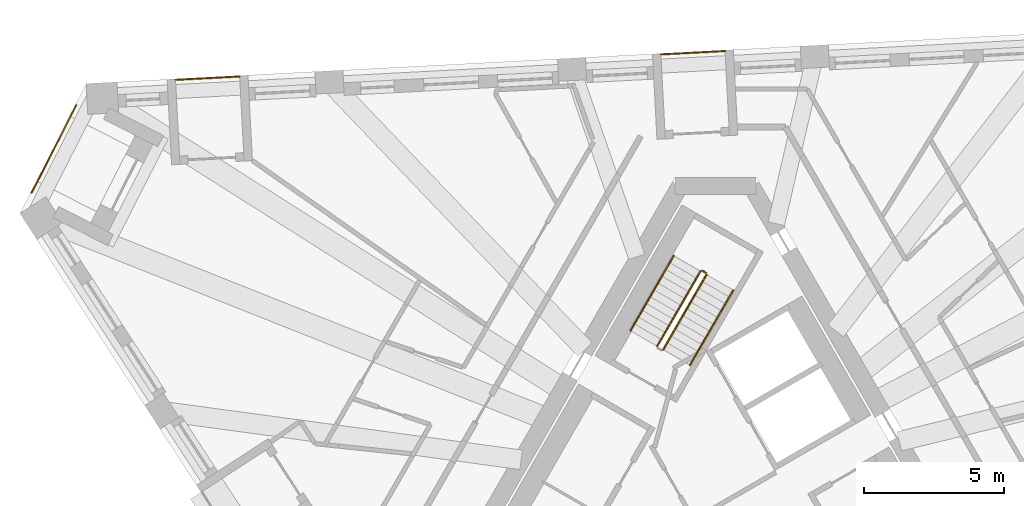
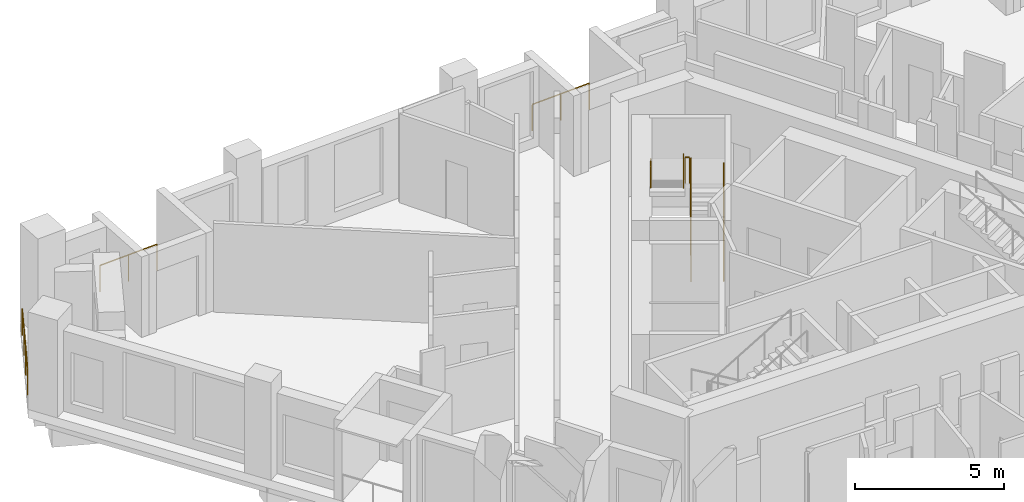
# One storey, part 12 of 13: 8 railings.
"""IFC4 building model written with IfcOpenShell, lengths in metres."""

import ifcopenshell
import ifcopenshell.guid

model = None  # the IFC model being written
_history = None  # IfcOwnerHistory: only IFC2X3 demands one
_inside = {}  # id of a spatial element -> (the spatial element, [elements in it])
_under = {}  # id of a project, library or spatial element -> (it, [spatial elements below it])
_declared = {}  # id of a project -> (the project, [libraries it declares])
_typed = {}  # id of a type object -> (the type object, [elements of that type])
_made_of = {}  # id of a material, layer set ... -> (it, [elements and type objects made of it])


def new_model(schema):
    """Start an empty IFC model of exactly this schema.

    Asked for "IFC4X3", IfcOpenShell would pick the latest addendum, in which some entities
    have other attributes; the version numbers below select the first issue.
    IFC2X3 requires an IfcOwnerHistory on every rooted entity: one is made here for all.
    """
    global model, _history
    if schema == "IFC4X3":
        model = ifcopenshell.file(schema_version=(4, 3, 0, 0))
    else:
        model = ifcopenshell.file(schema=schema)
    _inside.clear()
    _under.clear()
    _declared.clear()
    _typed.clear()
    _made_of.clear()
    _history = None
    if model.schema == "IFC2X3":
        org = make("IfcOrganization", Name="unknown")
        user = make(
            "IfcPersonAndOrganization",
            ThePerson=make("IfcPerson", FamilyName="unknown"),
            TheOrganization=org,
        )
        app = make(
            "IfcApplication",
            ApplicationDeveloper=org,
            Version="unknown",
            ApplicationFullName="unknown",
            ApplicationIdentifier="unknown",
        )
        _history = make(
            "IfcOwnerHistory",
            OwningUser=user,
            OwningApplication=app,
            ChangeAction="ADDED",
            CreationDate=0,
        )
    return model


def make(cls, **values):
    """One entity of the class cls with the attributes given. An attribute that is None is left unset."""
    return model.create_entity(
        cls, **{name: value for name, value in values.items() if value is not None}
    )


def rooted(cls, **values):
    """An entity with a GlobalId (a new one), such as an element, a storey or a relation."""
    return make(cls, GlobalId=ifcopenshell.guid.new(), OwnerHistory=_history, **values)


def si_unit(unit_type, name, prefix=None):
    """IfcSIUnit, for example si_unit("LENGTHUNIT", "METRE", prefix="MILLI")."""
    return make("IfcSIUnit", UnitType=unit_type, Prefix=prefix, Name=name)


def assignment(units):
    """IfcUnitAssignment: the units of a project."""
    return None if units is None else make("IfcUnitAssignment", Units=units)


def point(xyz):
    """IfcCartesianPoint."""
    return None if xyz is None else make("IfcCartesianPoint", Coordinates=xyz)


def direction(xyz):
    """IfcDirection."""
    return None if xyz is None else make("IfcDirection", DirectionRatios=xyz)


def frame(location, z_axis=None, x_axis=None):
    """IfcAxis2Placement3D, a coordinate frame: its origin and axes. An axis left out is left unset."""
    return make(
        "IfcAxis2Placement3D",
        Location=point(location),
        Axis=direction(z_axis),
        RefDirection=direction(x_axis),
    )


def frame_2d(location, x_axis=None):
    """IfcAxis2Placement2D, a coordinate frame in the plane: its origin and x axis."""
    return make(
        "IfcAxis2Placement2D", Location=point(location), RefDirection=direction(x_axis)
    )


def origin():
    """The frame at (0, 0, 0) with its axes left unset."""
    return frame((0.0, 0.0, 0.0))


def origin_2d():
    """The frame at (0, 0) in the plane with its x axis left unset."""
    return frame_2d((0.0, 0.0))


def place(relative_to, where):
    """IfcLocalPlacement: puts the frame where relative to a parent placement (None: the world)."""
    return make(
        "IfcLocalPlacement", PlacementRelTo=relative_to, RelativePlacement=where
    )


def context(
    kind, dimensions, precision=None, world=None, true_north=None, identifier=None
):
    """IfcGeometricRepresentationContext, for example the 3D "Model" context."""
    return make(
        "IfcGeometricRepresentationContext",
        ContextIdentifier=identifier,
        ContextType=kind,
        CoordinateSpaceDimension=dimensions,
        Precision=precision,
        WorldCoordinateSystem=world,
        TrueNorth=true_north,
    )


def subcontext(parent, identifier, kind, view, scale=None):
    """IfcGeometricRepresentationSubContext, for example "Body" below "Model"."""
    return make(
        "IfcGeometricRepresentationSubContext",
        ContextIdentifier=identifier,
        ContextType=kind,
        ParentContext=parent,
        TargetScale=scale,
        TargetView=view,
    )


def project(units=None, contexts=None):
    """IfcProject with its units and contexts."""
    return rooted(
        "IfcProject",
        Name="project",
        RepresentationContexts=contexts,
        UnitsInContext=assignment(units),
    )


def spatial(cls, under=None, at=None, **own):
    """A site, building, storey or space (cls), placed at a placement, below another one or the project."""
    s = rooted(cls, ObjectPlacement=at, **own)
    if under is not None:
        _under.setdefault(under.id(), (under, []))[1].append(s)
    return s


def profile(cls, at=None, kind="AREA", **sizes):
    """A parametric profile (cls). Its sizes go by their IFC names, for example OverallWidth=200.0."""
    return make(cls, ProfileType=kind, Position=at, **sizes)


def circle(**sizes):
    """IfcCircleProfileDef."""
    return profile("IfcCircleProfileDef", **sizes)


def extrude(swept, where, along, depth):
    """IfcExtrudedAreaSolid: the profile swept, set in the frame where, extruded along a direction by depth."""
    return make(
        "IfcExtrudedAreaSolid",
        SweptArea=swept,
        Position=where,
        ExtrudedDirection=direction(along),
        Depth=depth,
    )


def shape(context_of_items, identifier, shape_type, items):
    """IfcShapeRepresentation: the items that make up one representation, for example the "Body"."""
    return make(
        "IfcShapeRepresentation",
        ContextOfItems=context_of_items,
        RepresentationIdentifier=identifier,
        RepresentationType=shape_type,
        Items=items,
    )


def material(Name=None, Category=None):
    """IfcMaterial."""
    return make("IfcMaterial", Name=Name, Category=Category)


def made_of(thing, what):
    """Note that an element or type object is made of a material, layer set ...; save() writes the relation."""
    if what is not None:
        _made_of.setdefault(what.id(), (what, []))[1].append(thing)
    return thing


def type_object(cls, material=None, **own):
    """A type object (cls), such as IfcWallType, which elements share."""
    return made_of(rooted(cls, **own), material)


def element(
    cls,
    number,
    at=None,
    inside=None,
    cuts=None,
    type_object=None,
    material=None,
    context=None,
    identifier="Body",
    shape_type=None,
    held_by="IfcProductDefinitionShape",
    body=None,
    shapes=None,
    **own,
):
    """One element of the class cls, such as IfcWall. Its Tag is "e" and its number.

    at: its placement. inside: the storey or other place that contains it. cuts: it is an
    opening in that element (IfcRelVoidsElement). A single representation is given by context,
    identifier, shape_type and body (its items); several are given by shapes. held_by: the class
    of the entity that holds the representations. save() writes the other relations.
    """
    e = rooted(cls, Tag="e%d" % number, ObjectPlacement=at, **own)
    if body is not None:
        shapes = [shape(context, identifier, shape_type, body)]
    if shapes is not None:
        e.Representation = make(held_by, Representations=shapes)
    if inside is not None:
        _inside.setdefault(inside.id(), (inside, []))[1].append(e)
    if cuts is not None:
        rooted(
            "IfcRelVoidsElement", RelatingBuildingElement=cuts, RelatedOpeningElement=e
        )
    if type_object is not None:
        _typed.setdefault(type_object.id(), (type_object, []))[1].append(e)
    return made_of(e, material)


def aggregate(whole, parts):
    """IfcRelAggregates: a whole, such as a stair, and the parts it consists of."""
    return rooted("IfcRelAggregates", RelatingObject=whole, RelatedObjects=parts)


def save(model, path):
    """Write the relations noted so far, then the file.

    IfcRelAggregates (storeys below a building ...), IfcRelContainedInSpatialStructure (elements
    in a storey), IfcRelDefinesByType, IfcRelAssociatesMaterial and IfcRelDeclares: one each for
    every whole, place, type object, material and project.
    """
    for whole, parts in _under.values():
        aggregate(whole, parts)
    for where, things in _inside.values():
        rooted(
            "IfcRelContainedInSpatialStructure",
            RelatedElements=things,
            RelatingStructure=where,
        )
    for kind, things in _typed.values():
        rooted("IfcRelDefinesByType", RelatedObjects=things, RelatingType=kind)
    for what, things in _made_of.values():
        rooted("IfcRelAssociatesMaterial", RelatedObjects=things, RelatingMaterial=what)
    for by, libraries in _declared.values():
        rooted("IfcRelDeclares", RelatingContext=by, RelatedDefinitions=libraries)
    model.write(path)


model = new_model("IFC4")

# Units and contexts
model_context = context("Model", 3, precision=1e-05, world=origin(), true_north=direction((0.0, 1.0)))
body_context = subcontext(model_context, "Body", "Model", "MODEL_VIEW")
ifc_project = project(units=[si_unit("LENGTHUNIT", "METRE"), si_unit("AREAUNIT", "SQUARE_METRE"), si_unit("VOLUMEUNIT", "CUBIC_METRE"), si_unit("PLANEANGLEUNIT", "RADIAN"), si_unit("MASSUNIT", "GRAM", prefix="KILO")], contexts=[model_context])

# Site, building, storey
site_placement = place(None, origin())
site = spatial("IfcSite", under=ifc_project, at=site_placement, CompositionType="ELEMENT")
building_placement = place(site_placement, origin())
building = spatial("IfcBuilding", under=site, at=building_placement, Name="Tramontana Tower", CompositionType="ELEMENT")
storey_placement = place(building_placement, frame((0.0, 0.0, 286.39990234375)))
storey = spatial("IfcBuildingStorey", under=building, at=storey_placement, Name="L67", CompositionType="ELEMENT", Elevation=286.39990234375)

# Railings
ifc_material_1 = material(Name="Laminated glass balustrade", Category="glass")
railing_type_1 = type_object("IfcRailingType", Name="GD1 Loggia glass balustrade 1100", PredefinedType="BALUSTRADE", material=ifc_material_1)
for number, where, name in (
    (1, (0.332275390625, 15.508544921875, 0.0), "Loggia balustrade L67 G7S2.7"),
    (2, (-16.964599609375, 14.60205078125, 0.0), "Loggia balustrade L67 G7S2.13"),
):
    element("IfcRailing", number, at=place(storey_placement, frame(where)), inside=storey, type_object=railing_type_1, Name=name, PredefinedType="BALUSTRADE", context=body_context, shape_type="SweptSolid", body=[
        extrude(circle(Radius=0.02392578125, at=origin_2d()), frame((0.0, 0.0, 1.076171875), z_axis=(-0.998630775221, -0.052312281362, 0.0), x_axis=(0.052312281362, -0.998630775221, 0.0)), (0.0, 0.0, 1.0), 2.286865234375),
        extrude(circle(Radius=0.02099609375, at=origin_2d()), origin(), (0.0, 0.0, 1.0), 1.052001953125),
        extrude(circle(Radius=0.02099609375, at=origin_2d()), frame((-1.141845703125, -0.059814453125, 0.0)), (0.0, 0.0, 1.0), 1.052001953125),
        extrude(circle(Radius=0.02099609375, at=origin_2d()), frame((-2.28369140625, -0.11962890625, 0.0)), (0.0, 0.0, 1.0), 1.052001953125),
    ])
railing_1_placement = place(storey_placement, frame((-24.37939453125, 10.457763671875, 0.0)))
element("IfcRailing", 3, at=railing_1_placement, inside=storey, type_object=railing_type_1, Name="Corner loggia balustrade L67 K70", PredefinedType="BALUSTRADE", context=body_context, shape_type="SweptSolid", body=[
    extrude(circle(Radius=0.02392578125, at=origin_2d()), frame((0.0, 0.0, 1.076171875), z_axis=(0.453952949021, 0.891025656238, 0.0), x_axis=(-0.891025656238, 0.453952949021, 0.0)), (0.0, 0.0, 1.0), 3.5),
    extrude(circle(Radius=0.02099609375, at=origin_2d()), origin(), (0.0, 0.0, 1.0), 1.052001953125),
    extrude(circle(Radius=0.02099609375, at=origin_2d()), frame((0.529541015625, 1.03955078125, 0.0)), (0.0, 0.0, 1.0), 1.052001953125),
    extrude(circle(Radius=0.02099609375, at=origin_2d()), frame((1.059326171875, 2.0791015625, 0.0)), (0.0, 0.0, 1.0), 1.052001953125),
    extrude(circle(Radius=0.02099609375, at=origin_2d()), frame((1.5888671875, 3.11865234375, 0.0)), (0.0, 0.0, 1.0), 1.052001953125),
])
ifc_material_2 = material(Name="Painted steel", Category="steel")
railing_type_2 = type_object("IfcRailingType", Name="STAIR GUARD 1100", PredefinedType="GUARDRAIL", material=ifc_material_2)
railing_2_placement = place(storey_placement, frame((-1.867431640625, 4.865478515625, 0.166748046875)))
element("IfcRailing", 4, at=railing_2_placement, inside=storey, type_object=railing_type_2, Name="L67 ST1 stair guard 1", PredefinedType="GUARDRAIL", context=body_context, shape_type="SweptSolid", body=[
    extrude(circle(Radius=0.02392578125, at=origin_2d()), frame((0.0, 0.0, 1.076171875), z_axis=(0.429649414936, 0.744189839504, 0.511451721109), x_axis=(-0.866029832698, 0.499992328818, 0.0)), (0.0, 0.0, 1.0), 3.58447265625),
    extrude(circle(Radius=0.02099609375, at=origin_2d()), origin(), (0.0, 0.0, 1.0), 1.052001953125),
    extrude(circle(Radius=0.02099609375, at=origin_2d()), frame((0.513427734375, 0.88916015625, 0.611083984375)), (0.0, 0.0, 1.0), 1.052001953125),
    extrude(circle(Radius=0.02099609375, at=origin_2d()), frame((1.026611328125, 1.7783203125, 1.22216796875)), (0.0, 0.0, 1.0), 1.052001953125),
    extrude(circle(Radius=0.02099609375, at=origin_2d()), frame((1.5400390625, 2.66748046875, 1.833251953125)), (0.0, 0.0, 1.0), 1.052001953125),
])
railing_3_placement = place(storey_placement, frame((-0.5439453125, 7.657958984375, 2.166748046875)))
element("IfcRailing", 5, at=railing_3_placement, inside=storey, type_object=railing_type_2, Name="L67 ST1 stair guard 2", PredefinedType="GUARDRAIL", context=body_context, shape_type="SweptSolid", body=[
    extrude(circle(Radius=0.02392578125, at=origin_2d()), frame((0.0, 0.0, 1.076171875), z_axis=(-0.429649414936, -0.744189839504, 0.511451721109), x_axis=(0.866029832698, -0.499992328818, 0.0)), (0.0, 0.0, 1.0), 3.58447265625),
    extrude(circle(Radius=0.02099609375, at=origin_2d()), origin(), (0.0, 0.0, 1.0), 1.052001953125),
    extrude(circle(Radius=0.02099609375, at=origin_2d()), frame((-0.513427734375, -0.88916015625, 0.611083984375)), (0.0, 0.0, 1.0), 1.052001953125),
    extrude(circle(Radius=0.02099609375, at=origin_2d()), frame((-1.026611328125, -1.7783203125, 1.22216796875)), (0.0, 0.0, 1.0), 1.052001953125),
    extrude(circle(Radius=0.02099609375, at=origin_2d()), frame((-1.5400390625, -2.66748046875, 1.833251953125)), (0.0, 0.0, 1.0), 1.052001953125),
])
railing_4_placement = place(storey_placement, frame((-0.345703125, 7.601318359375, 2.0)))
element("IfcRailing", 6, at=railing_4_placement, inside=storey, type_object=railing_type_2, Name="L67 ST1 stair guard 3", PredefinedType="GUARDRAIL", context=body_context, shape_type="SweptSolid", body=[
    extrude(circle(Radius=0.02392578125, at=origin_2d()), frame((0.0, 0.0, 1.076171875), z_axis=(-0.866131372301, 0.499816412211, 0.0), x_axis=(-0.499816412211, -0.866131372301, 0.0)), (0.0, 0.0, 1.0), 0.14990234375),
    extrude(circle(Radius=0.02099609375, at=origin_2d()), origin(), (0.0, 0.0, 1.0), 1.052001953125),
    extrude(circle(Radius=0.02099609375, at=origin_2d()), frame((-0.1298828125, 0.074951171875, 0.0)), (0.0, 0.0, 1.0), 1.052001953125),
])
ifc_material_3 = material(Name="Painted steel", Category="steel")
railing_type_3 = type_object("IfcRailingType", Name="STAIR HANDRAIL 900", PredefinedType="HANDRAIL", material=ifc_material_3)
railing_5_placement = place(storey_placement, frame((-0.914794921875, 4.315673828125, 0.166748046875)))
element("IfcRailing", 7, at=railing_5_placement, inside=storey, type_object=railing_type_3, Name="L67 ST1 stair handrail 1", PredefinedType="HANDRAIL", context=body_context, shape_type="SweptSolid", body=[
    extrude(circle(Radius=0.02392578125, at=origin_2d()), frame((0.0, 0.0, 0.8759765625), z_axis=(0.429671193721, 0.744159446956, 0.511477646425), x_axis=(-0.866010015463, 0.500026652407, 0.0)), (0.0, 0.0, 1.0), 3.584228515625),
    extrude(circle(Radius=0.02099609375, at=origin_2d()), origin(), (0.0, 0.0, 1.0), 0.851806640625),
    extrude(circle(Radius=0.02099609375, at=origin_2d()), frame((0.513427734375, 0.88916015625, 0.611083984375)), (0.0, 0.0, 1.0), 0.851806640625),
    extrude(circle(Radius=0.02099609375, at=origin_2d()), frame((1.026611328125, 1.778076171875, 1.22216796875)), (0.0, 0.0, 1.0), 0.851806640625),
    extrude(circle(Radius=0.02099609375, at=origin_2d()), frame((1.5400390625, 2.667236328125, 1.833251953125)), (0.0, 0.0, 1.0), 0.851806640625),
])
railing_6_placement = place(storey_placement, frame((-1.49658203125, 8.2080078125, 2.166748046875)))
element("IfcRailing", 8, at=railing_6_placement, inside=storey, type_object=railing_type_3, Name="L67 ST1 stair handrail 2", PredefinedType="HANDRAIL", context=body_context, shape_type="SweptSolid", body=[
    extrude(circle(Radius=0.02392578125, at=origin_2d()), frame((0.0, 0.0, 0.8759765625), z_axis=(-0.429649414936, -0.744189839504, 0.511451721109), x_axis=(0.866029832698, -0.499992328818, 0.0)), (0.0, 0.0, 1.0), 3.58447265625),
    extrude(circle(Radius=0.02099609375, at=origin_2d()), origin(), (0.0, 0.0, 1.0), 0.851806640625),
    extrude(circle(Radius=0.02099609375, at=origin_2d()), frame((-0.513427734375, -0.88916015625, 0.611083984375)), (0.0, 0.0, 1.0), 0.851806640625),
    extrude(circle(Radius=0.02099609375, at=origin_2d()), frame((-1.026611328125, -1.7783203125, 1.22216796875)), (0.0, 0.0, 1.0), 0.851806640625),
    extrude(circle(Radius=0.02099609375, at=origin_2d()), frame((-1.5400390625, -2.66748046875, 1.833251953125)), (0.0, 0.0, 1.0), 0.851806640625),
])

save(model, "model.ifc")
